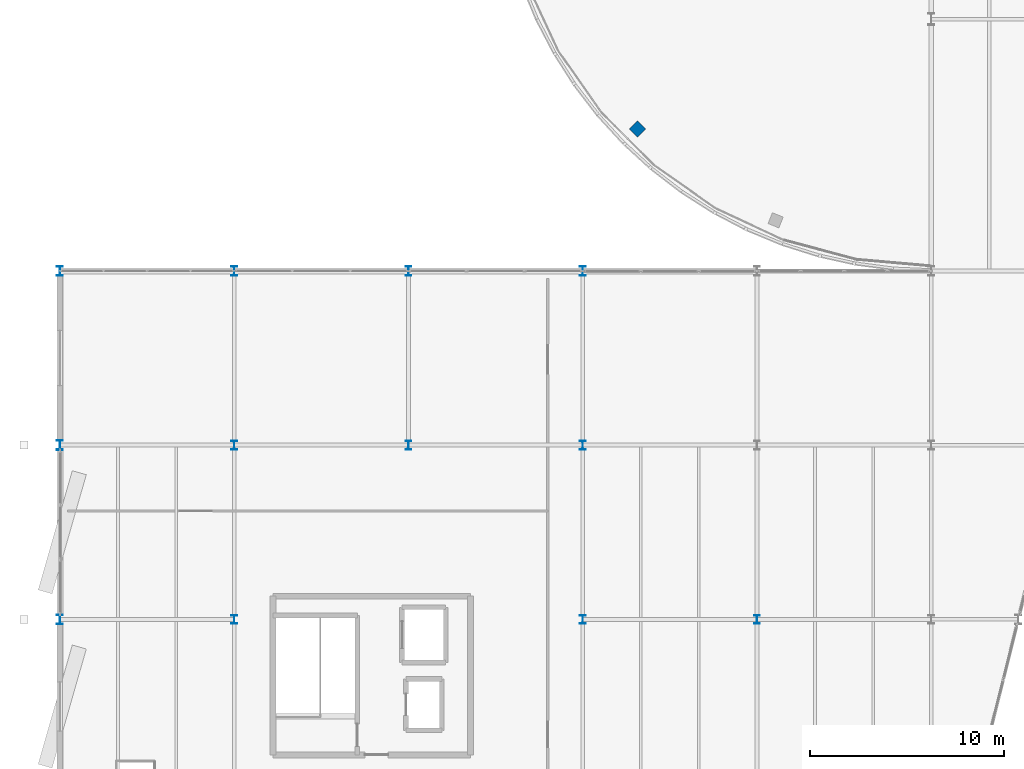
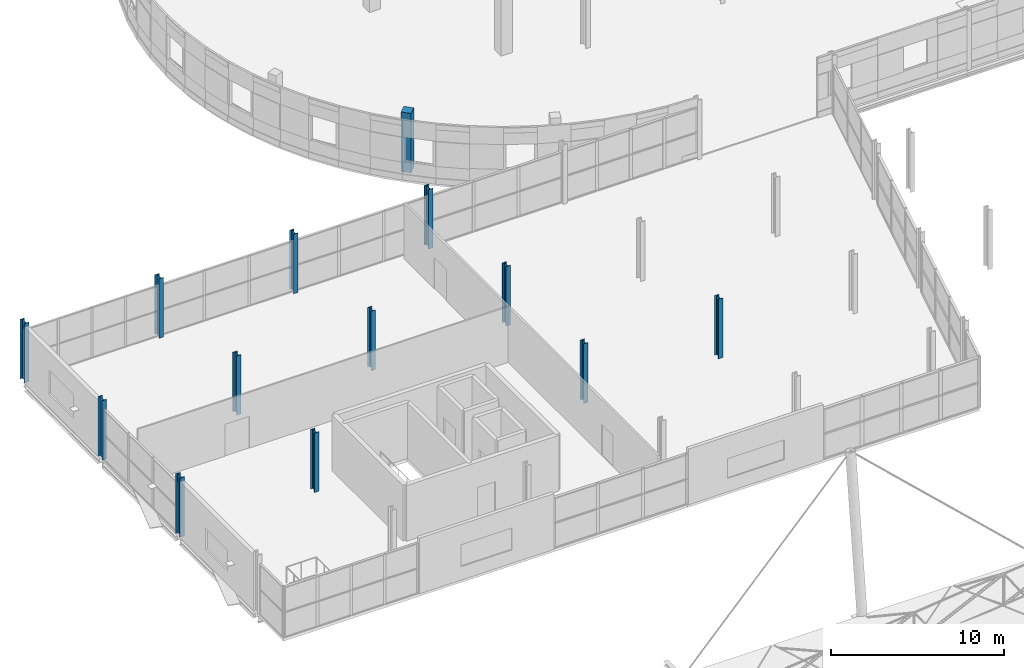
# One storey, part 6 of 132: 13 columns.
"""IFC4 building model written with IfcOpenShell, lengths in metres."""

from ifc_helpers import new_model, si_unit, direction, frame, origin, origin_2d, place, context, subcontext, project, spatial, rectangle, i_section, extrude, material, material_profile, profile_set, type_object, element, save


model = new_model("IFC4")

# Units and contexts
model_context = context("Model", 3, precision=1e-05, world=origin(), true_north=direction((0.0, 1.0)))
body_context = subcontext(model_context, "Body", "Model", "MODEL_VIEW")
ifc_project = project(units=[si_unit("LENGTHUNIT", "METRE"), si_unit("AREAUNIT", "SQUARE_METRE"), si_unit("VOLUMEUNIT", "CUBIC_METRE"), si_unit("PLANEANGLEUNIT", "RADIAN"), si_unit("MASSUNIT", "GRAM", prefix="KILO")], contexts=[model_context])

# Site, building, storey
site_placement = place(None, origin())
site = spatial("IfcSite", under=ifc_project, at=site_placement, CompositionType="ELEMENT")
building_placement = place(site_placement, origin())
building = spatial("IfcBuilding", under=site, at=building_placement, Name="Deido Ridge Mobility Hub", CompositionType="ELEMENT")
storey_placement = place(building_placement, frame((0.0, 0.0, 8.39990234375)))
storey = spatial("IfcBuildingStorey", under=building, at=storey_placement, Name="L02", CompositionType="ELEMENT", Elevation=8.39990234375)

# Columns
ifc_material_1 = material(Name="Steel S355J2 EN 10025-2", Category="steel")
ifc_material_profile_1 = material_profile(ifc_material_1, i_section(OverallWidth=0.300048828125, OverallDepth=0.449951171875, WebThickness=0.013916015625, FlangeThickness=0.02587890625, FilletRadius=0.027099609375, at=origin_2d()), Name="HEB 450")
ifc_profile_set_1 = profile_set([ifc_material_profile_1], Name="Steel S355J2 EN 10025-2")
column_type_1 = type_object("IfcColumnType", Name="COL-HEB450", PredefinedType="COLUMN", material=ifc_profile_set_1)
for number, where, z_axis, x_axis, name in (
    (1, (9.0, 63.0, 0.0), (0.0, 0.0, 1.0), (1.0, 0.0, 0.0), "Structural column C6"),
    (2, (27.0, 63.0, 0.0), (0.0, 0.0, 1.0), (1.0, 0.0, 0.0), "Structural column C6"),
    (3, (36.0, 63.0, 0.0), (0.0, 0.0, 1.0), (1.0, 0.0, 0.0), "Structural column C6"),
    (4, (9.0, 72.0, 0.0), (0.0, 0.0, 1.0), (1.0, 0.0, 0.0), "Structural column C6"),
    (5, (18.0, 72.0, 0.0), (0.0, 0.0, 1.0), (1.0, 0.0, 0.0), "Structural column C6"),
    (6, (27.0, 72.0, 0.0), (0.0, 0.0, 1.0), (1.0, 0.0, 0.0), "Structural column C6"),
):
    element("IfcColumn", number, at=place(storey_placement, frame(where, z_axis=z_axis, x_axis=x_axis)), inside=storey, type_object=column_type_1, Name=name, PredefinedType="COLUMN", context=body_context, shape_type="SweptSolid", body=[
        extrude(i_section(OverallWidth=0.300048828125, OverallDepth=0.449951171875, WebThickness=0.013916015625, FlangeThickness=0.02587890625, FilletRadius=0.027099609375, at=origin_2d()), origin(), (0.0, 0.0, 1.0), 4.2001953125),
    ])
ifc_material_profile_2 = material_profile(ifc_material_1, i_section(OverallWidth=0.300048828125, OverallDepth=0.5, WebThickness=0.014404296875, FlangeThickness=0.028076171875, FilletRadius=0.027099609375, at=origin_2d()), Name="HEB 500")
ifc_profile_set_2 = profile_set([ifc_material_profile_2], Name="Steel S355J2 EN 10025-2")
column_type_2 = type_object("IfcColumnType", Name="COL-HEB500", PredefinedType="COLUMN", material=ifc_profile_set_2)
for number, where, z_axis, x_axis, name in (
    (7, (0.0, 63.0, 0.0), (0.0, 0.0, 1.0), (1.0, 0.0, 0.0), "Structural column C5"),
    (8, (0.0, 72.0, 0.0), (0.0, 0.0, 1.0), (1.0, 0.0, 0.0), "Structural column C5"),
    (9, (0.0, 81.0, 0.0), (0.0, 0.0, 1.0), (1.0, 0.0, 0.0), "Structural column C5"),
    (10, (9.0, 81.0, 0.0), (0.0, 0.0, 1.0), (1.0, 0.0, 0.0), "Structural column C5"),
    (11, (18.0, 81.0, 0.0), (0.0, 0.0, 1.0), (1.0, 0.0, 0.0), "Structural column C5"),
    (12, (27.0, 81.0, 0.0), (0.0, 0.0, 1.0), (1.0, 0.0, 0.0), "Structural column C5"),
):
    element("IfcColumn", number, at=place(storey_placement, frame(where, z_axis=z_axis, x_axis=x_axis)), inside=storey, type_object=column_type_2, Name=name, PredefinedType="COLUMN", context=body_context, shape_type="SweptSolid", body=[
        extrude(i_section(OverallWidth=0.300048828125, OverallDepth=0.5, WebThickness=0.014404296875, FlangeThickness=0.028076171875, FilletRadius=0.027099609375, at=origin_2d()), origin(), (0.0, 0.0, 1.0), 4.2001953125),
    ])
ifc_material_2 = material(Name="Concrete C40/50", Category="concrete")
ifc_material_profile_3 = material_profile(ifc_material_2, rectangle(XDim=0.60009765625, YDim=0.60009765625, at=origin_2d()), Name="RC COL 600x600")
ifc_profile_set_3 = profile_set([ifc_material_profile_3], Name="Concrete C40/50")
column_type_3 = type_object("IfcColumnType", Name="COL-RC600", PredefinedType="COLUMN", material=ifc_profile_set_3)
column_placement = place(storey_placement, frame((29.83251953125, 88.33251953125, 0.0), z_axis=(0.0, 0.0, 1.0), x_axis=(-0.707106781187, -0.707106781187, 0.0)))
element("IfcColumn", 13, at=column_placement, inside=storey, type_object=column_type_3, Name="Structural column RC2", PredefinedType="COLUMN", context=body_context, shape_type="SweptSolid", body=[
    extrude(rectangle(XDim=0.60009765625, YDim=0.60009765625, at=origin_2d()), origin(), (0.0, 0.0, 1.0), 4.2001953125),
])

save(model, "model.ifc")
